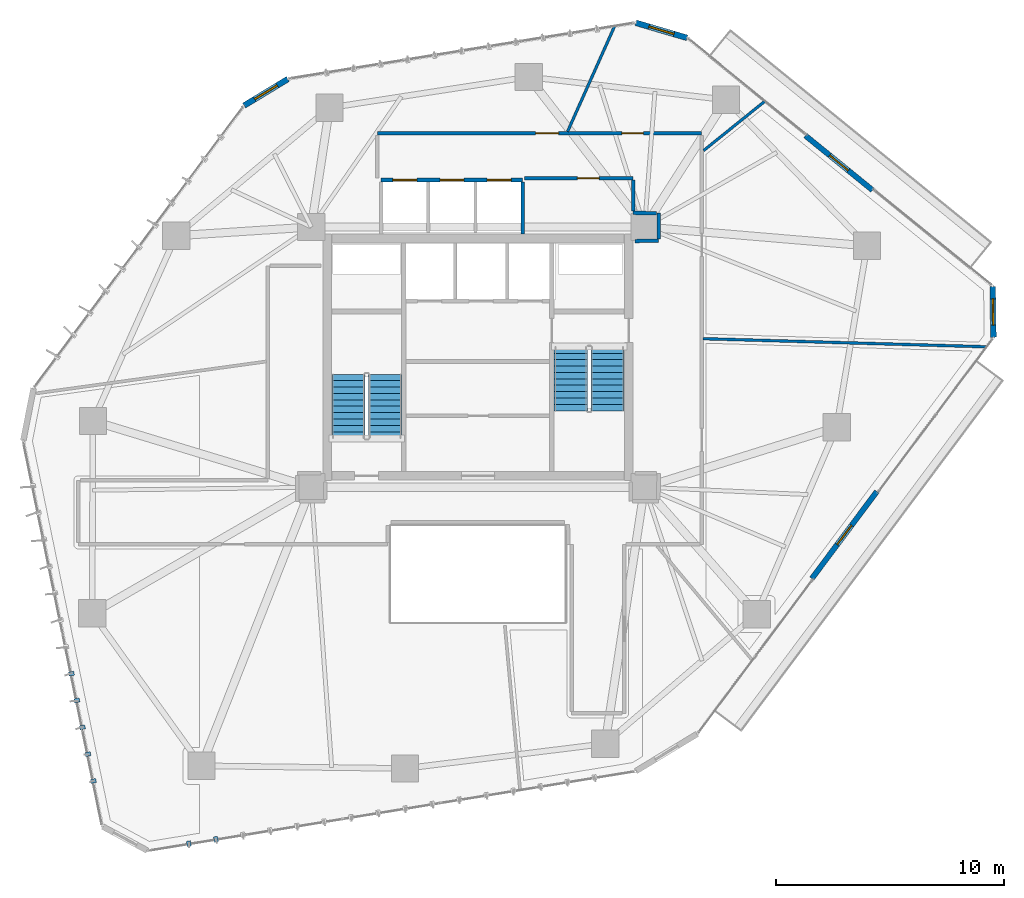
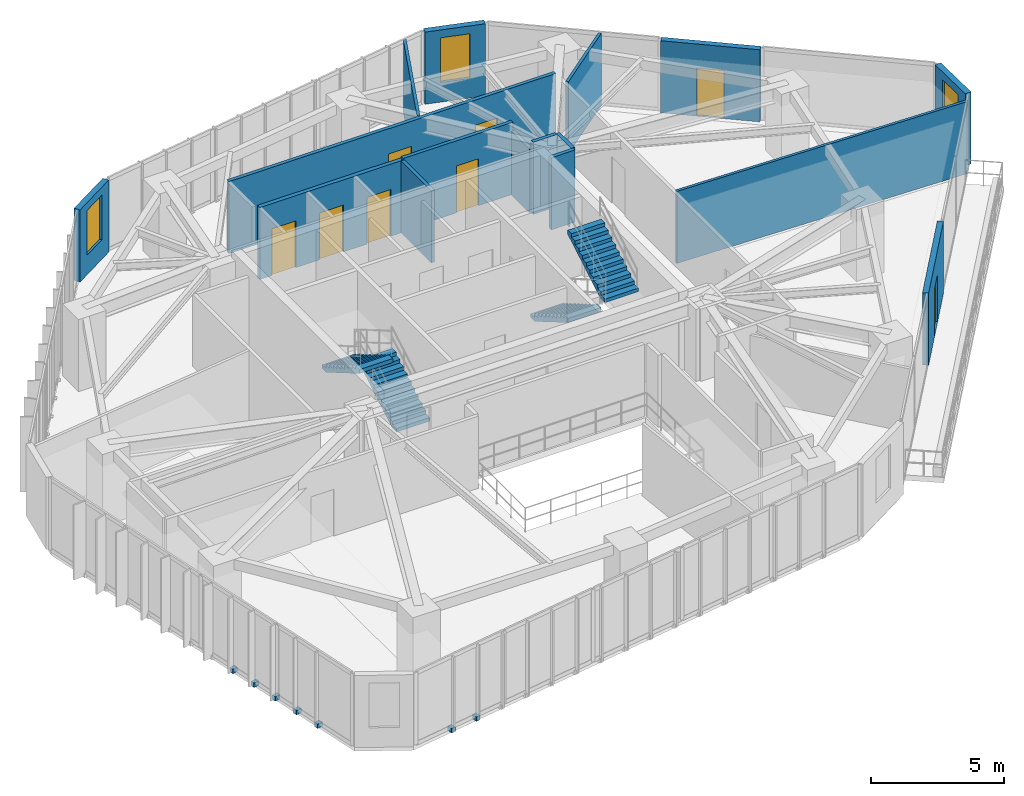
# One storey, part 19 of 23: 16 walls, 8 doors, 7 discrete accessories, 4 stair flights, 3 windows, 11 openings, 2 elements without a shape of their own.
"""IFC4 building model written with IfcOpenShell, lengths in metres."""

from ifc_helpers import new_model, si_unit, direction, frame, frame_2d, origin, origin_2d, place, context, subcontext, project, spatial, polyline, rectangle, outline, extrude, source, transform, mapped, material, layer, layer_set, type_object, type_shapes, element, fill, aggregate, save


model = new_model("IFC4")

# Units and contexts
model_context = context("Model", 3, precision=1e-05, world=origin(), true_north=direction((0.0, 1.0)))
body_context = subcontext(model_context, "Body", "Model", "MODEL_VIEW")
ifc_project = project(units=[si_unit("LENGTHUNIT", "METRE"), si_unit("AREAUNIT", "SQUARE_METRE"), si_unit("VOLUMEUNIT", "CUBIC_METRE"), si_unit("PLANEANGLEUNIT", "RADIAN"), si_unit("MASSUNIT", "GRAM", prefix="KILO")], contexts=[model_context])

# Site, building, storey
site_placement = place(None, origin())
site = spatial("IfcSite", under=ifc_project, at=site_placement, CompositionType="ELEMENT")
building_placement = place(site_placement, origin())
building = spatial("IfcBuilding", under=site, at=building_placement, Name="Talar Marvaseh", CompositionType="ELEMENT")
storey_placement = place(building_placement, frame((0.0, 0.0, 118.199951171875)))
storey = spatial("IfcBuildingStorey", under=building, at=storey_placement, Name="L30", CompositionType="ELEMENT", Elevation=118.199951171875)

# Wall, opening, window
ifc_material_1 = material(Name="Precast concrete C45/55", Category="concrete")
ifc_layer_1 = layer(ifc_material_1, 0.2548828125)
ifc_layer_set_1 = layer_set([ifc_layer_1], Name="Precast concrete C45/55")
wall_type_1 = type_object("IfcWallType", Name="Chamfered Hexagonal Corner Pier Wall Z2 255", PredefinedType="SOLIDWALL", material=ifc_layer_set_1)
wall_1_placement = place(storey_placement, frame((15.755859375, 42.21826171875, 0.0), z_axis=(0.0, 0.0, 1.0), x_axis=(0.854920161859, 0.518759594462, 0.0)))
wall_1 = element("IfcWall", 1, at=wall_1_placement, inside=storey, type_object=wall_type_1, Name="L30 Chamfered Corner Limestone Pier 3", PredefinedType="SOLIDWALL", context=body_context, shape_type="SweptSolid", body=[
    extrude(rectangle(XDim=2.244873046875, YDim=0.2548828125, at=frame_2d((1.12255859375, 0.0))), origin(), (0.0, 0.0, 1.0), 3.31005859375),
])
opening_1_placement = place(wall_1_placement, frame((0.548095703125, 0.0, 0.89990234375)))
opening_1 = element("IfcOpeningElement", 2, at=opening_1_placement, cuts=wall_1, Name="Opening WN-CHM11", PredefinedType="OPENING", context=body_context, shape_type="SweptSolid", body=[
    extrude(rectangle(XDim=1.14990234375, YDim=2.050048828125, at=frame_2d((0.574951171875, 1.02490234375))), frame((0.0, 0.137451171875, 0.0), z_axis=(0.0, -1.0, 0.0), x_axis=(1.0, 0.0, 0.0)), (0.0, 0.0, 1.0), 0.27490234375),
])
ifc_material_2 = material(Name="Laminated Low-E Solar Glass", Category="glass")
window_type = type_object("IfcWindowType", Name="Zone 2 Chamfered Corner Slot Window 1150x2050", PartitioningType="SINGLE_PANEL", PredefinedType="WINDOW", material=ifc_material_2)
shared_shape_1 = source(origin(), body_context, "Body", "SweptSolid", [
    extrude(rectangle(XDim=1.14990234375, YDim=2.050048828125, at=frame_2d((0.574951171875, 1.02490234375))), frame((0.0, 0.030029296875, 0.0), z_axis=(0.0, -1.0, 0.0), x_axis=(1.0, 0.0, 0.0)), (0.0, 0.0, 1.0), 0.06005859375),
])
type_shapes(window_type, [shared_shape_1])
window_1_placement = place(opening_1_placement, origin())
window_1 = element("IfcWindow", 3, at=window_1_placement, inside=storey, type_object=window_type, Name="L30 Chamfered Corner Slot Window", OverallHeight=2.050048828125, OverallWidth=1.14990234375, PartitioningType="SINGLE_PANEL", PredefinedType="WINDOW", context=body_context, shape_type="MappedRepresentation", body=[
    mapped(shared_shape_1, transform((0.0, 0.0, 0.0), x_axis=(1.0, 0.0, 0.0), y_axis=(0.0, 1.0, 0.0), z_axis=(0.0, 0.0, 1.0), scale=1.0)),
])
fill(opening_1, window_1)

wall_2_placement = place(storey_placement, frame((32.916015625, 45.844970703125, 0.0), z_axis=(0.0, 0.0, 1.0), x_axis=(0.959438544525, -0.281917859099, 0.0)))
wall_2 = element("IfcWall", 4, at=wall_2_placement, inside=storey, type_object=wall_type_1, Name="L30 Chamfered Corner Limestone Pier 4", PredefinedType="SOLIDWALL", context=body_context, shape_type="SweptSolid", body=[
    extrude(rectangle(XDim=2.3408203125, YDim=0.2548828125, at=frame_2d((1.17041015625, 0.0))), origin(), (0.0, 0.0, 1.0), 3.31005859375),
])
opening_2_placement = place(wall_2_placement, frame((0.594970703125, 0.0, 0.89990234375)))
opening_2 = element("IfcOpeningElement", 5, at=opening_2_placement, cuts=wall_2, Name="Opening WN-CHM11", PredefinedType="OPENING", context=body_context, shape_type="SweptSolid", body=[
    extrude(rectangle(XDim=1.14990234375, YDim=2.050048828125, at=frame_2d((0.574951171875, 1.02490234375))), frame((0.0, 0.137451171875, 0.0), z_axis=(0.0, -1.0, 0.0), x_axis=(1.0, 0.0, 0.0)), (0.0, 0.0, 1.0), 0.27490234375),
])
window_2_placement = place(opening_2_placement, origin())
window_2 = element("IfcWindow", 6, at=window_2_placement, inside=storey, type_object=window_type, Name="L30 Chamfered Corner Slot Window", OverallHeight=2.050048828125, OverallWidth=1.14990234375, PartitioningType="SINGLE_PANEL", PredefinedType="WINDOW", context=body_context, shape_type="MappedRepresentation", body=[
    mapped(shared_shape_1, transform((0.0, 0.0, 0.0), x_axis=(1.0, 0.0, 0.0), y_axis=(0.0, 1.0, 0.0), z_axis=(0.0, 0.0, 1.0), scale=1.0)),
])
fill(opening_2, window_2)

wall_3_placement = place(storey_placement, frame((48.547119140625, 34.286865234375, 0.0), z_axis=(0.0, 0.0, 1.0), x_axis=(0.014428989036, -0.999895896719, 0.0)))
wall_3 = element("IfcWall", 7, at=wall_3_placement, inside=storey, type_object=wall_type_1, Name="L30 Chamfered Corner Limestone Pier 5", PredefinedType="SOLIDWALL", context=body_context, shape_type="SweptSolid", body=[
    extrude(rectangle(XDim=2.216552734375, YDim=0.2548828125, at=frame_2d((1.1083984375, 0.0))), origin(), (0.0, 0.0, 1.0), 3.31005859375),
])
opening_3_placement = place(wall_3_placement, frame((0.532958984375, 0.0, 0.89990234375)))
opening_3 = element("IfcOpeningElement", 8, at=opening_3_placement, cuts=wall_3, Name="Opening WN-CHM11", PredefinedType="OPENING", context=body_context, shape_type="SweptSolid", body=[
    extrude(rectangle(XDim=1.14990234375, YDim=2.050048828125, at=frame_2d((0.574951171875, 1.02490234375))), frame((0.0, 0.137451171875, 0.0), z_axis=(0.0, -1.0, 0.0), x_axis=(1.0, 0.0, 0.0)), (0.0, 0.0, 1.0), 0.27490234375),
])
window_3_placement = place(opening_3_placement, origin())
window_3 = element("IfcWindow", 9, at=window_3_placement, inside=storey, type_object=window_type, Name="L30 Chamfered Corner Slot Window", OverallHeight=2.050048828125, OverallWidth=1.14990234375, PartitioningType="SINGLE_PANEL", PredefinedType="WINDOW", context=body_context, shape_type="MappedRepresentation", body=[
    mapped(shared_shape_1, transform((0.0, 0.0, 0.0), x_axis=(1.0, 0.0, 0.0), y_axis=(0.0, 1.0, 0.0), z_axis=(0.0, 0.0, 1.0), scale=1.0)),
])
fill(opening_3, window_3)

# Wall, opening, door
ifc_material_3 = material(Name="Gypsum Board Partition Assembly")
ifc_layer_2 = layer(ifc_material_3, 0.155029296875)
ifc_layer_set_2 = layer_set([ifc_layer_2], Name="Gypsum Board Partition Assembly")
wall_type_2 = type_object("IfcWallType", Name="Corridor Fire-Rated Acoustic Partition 155", PredefinedType="PARTITIONING", material=ifc_layer_set_2)
wall_4_placement = place(storey_placement, frame((32.800048828125, 39.0400390625, 0.0), z_axis=(0.0, 0.0, 1.0), x_axis=(-1.0, 0.0, 0.0)))
wall_4 = element("IfcWall", 10, at=wall_4_placement, inside=storey, type_object=wall_type_2, Name="L30 Interior Partition Wall", PredefinedType="PARTITIONING", context=body_context, shape_type="SweptSolid", body=[
    extrude(rectangle(XDim=4.77001953125, YDim=0.155029296875, at=frame_2d((2.385009765625, 0.0))), origin(), (0.0, 0.0, 1.0), 3.31005859375),
])
opening_4_placement = place(wall_4_placement, frame((1.494873046875, 0.0, 0.0)))
opening_4 = element("IfcOpeningElement", 11, at=opening_4_placement, cuts=wall_4, Name="Opening DR-WC095", PredefinedType="OPENING", context=body_context, shape_type="SweptSolid", body=[
    extrude(rectangle(XDim=0.949951171875, YDim=2.14990234375, at=frame_2d((0.47509765625, 1.074951171875))), frame((0.0, 0.08740234375, 0.0), z_axis=(0.0, -1.0, 0.0), x_axis=(1.0, 0.0, 0.0)), (0.0, 0.0, 1.0), 0.175048828125),
])
ifc_material_4 = material(Name="Acoustic Engineered Oak Timber", Category="wood")
door_type_1 = type_object("IfcDoorType", Name="Washroom and Service Room Door 950x2150", OperationType="NOTDEFINED", PredefinedType="DOOR", material=ifc_material_4)
shared_shape_2 = source(origin(), body_context, "Body", "SweptSolid", [
    extrude(rectangle(XDim=0.949951171875, YDim=2.14990234375, at=frame_2d((0.47509765625, 1.074951171875))), frame((0.0, 0.02490234375, 0.0), z_axis=(0.0, -1.0, 0.0), x_axis=(1.0, 0.0, 0.0)), (0.0, 0.0, 1.0), 0.050048828125),
])
type_shapes(door_type_1, [shared_shape_2])
door_1_placement = place(opening_4_placement, origin())
door_1 = element("IfcDoor", 12, at=door_1_placement, inside=storey, type_object=door_type_1, Name="L30 WC Public Washrooms Door", OperationType="SINGLE_SWING_RIGHT", OverallHeight=2.14990234375, OverallWidth=0.949951171875, PredefinedType="DOOR", context=body_context, shape_type="MappedRepresentation", body=[
    mapped(shared_shape_2, transform((0.0, 0.0, 0.0), x_axis=(1.0, 0.0, 0.0), y_axis=(0.0, 1.0, 0.0), z_axis=(0.0, 0.0, 1.0), scale=1.0)),
])
fill(opening_4, door_1)

# Wall, openings, doors
wall_5_placement = place(storey_placement, frame((21.60009765625, 41.0, 0.0), z_axis=(0.0, 0.0, 1.0), x_axis=(1.0, 0.0, 0.0)))
wall_5 = element("IfcWall", 13, at=wall_5_placement, inside=storey, type_object=wall_type_2, Name="L30 Interior Partition Wall", PredefinedType="PARTITIONING", context=body_context, shape_type="SweptSolid", body=[
    extrude(rectangle(XDim=14.199951171875, YDim=0.155029296875, at=frame_2d((7.10009765625, 0.0))), origin(), (0.0, 0.0, 1.0), 3.31005859375),
])
opening_5_placement = place(wall_5_placement, frame((10.7001953125, 0.0, 0.0)))
opening_5 = element("IfcOpeningElement", 14, at=opening_5_placement, cuts=wall_5, Name="Opening DR-WC095", PredefinedType="OPENING", context=body_context, shape_type="SweptSolid", body=[
    extrude(rectangle(XDim=0.949951171875, YDim=2.14990234375, at=frame_2d((0.47509765625, 1.074951171875))), frame((0.0, 0.08740234375, 0.0), z_axis=(0.0, -1.0, 0.0), x_axis=(1.0, 0.0, 0.0)), (0.0, 0.0, 1.0), 0.175048828125),
])
opening_6_placement = place(wall_5_placement, frame((6.930419921875, 0.0, 0.0)))
opening_6 = element("IfcOpeningElement", 15, at=opening_6_placement, cuts=wall_5, Name="Opening DR-RM100", PredefinedType="OPENING", context=body_context, shape_type="SweptSolid", body=[
    extrude(rectangle(XDim=1.0, YDim=2.14990234375, at=frame_2d((0.5, 1.074951171875))), frame((0.0, 0.08740234375, 0.0), z_axis=(0.0, -1.0, 0.0), x_axis=(1.0, 0.0, 0.0)), (0.0, 0.0, 1.0), 0.175048828125),
])
door_2_placement = place(opening_5_placement, origin())
door_2 = element("IfcDoor", 16, at=door_2_placement, inside=storey, type_object=door_type_1, Name="L30 Accessible WC Door", OperationType="SINGLE_SWING_LEFT", OverallHeight=2.14990234375, OverallWidth=0.949951171875, PredefinedType="DOOR", context=body_context, shape_type="MappedRepresentation", body=[
    mapped(shared_shape_2, transform((0.0, 0.0, 0.0), x_axis=(1.0, 0.0, 0.0), y_axis=(0.0, 1.0, 0.0), z_axis=(0.0, 0.0, 1.0), scale=1.0)),
])
fill(opening_5, door_2)
door_type_2 = type_object("IfcDoorType", Name="Corridor Fire-Rated Gallery Door 1000x2150", OperationType="NOTDEFINED", PredefinedType="DOOR", material=ifc_material_4)
shared_shape_3 = source(origin(), body_context, "Body", "SweptSolid", [
    extrude(rectangle(XDim=1.0, YDim=2.14990234375, at=frame_2d((0.5, 1.074951171875))), frame((0.0, 0.02490234375, 0.0), z_axis=(0.0, -1.0, 0.0), x_axis=(1.0, 0.0, 0.0)), (0.0, 0.0, 1.0), 0.050048828125),
])
type_shapes(door_type_2, [shared_shape_3])
door_3_placement = place(opening_6_placement, origin())
door_3 = element("IfcDoor", 17, at=door_3_placement, inside=storey, type_object=door_type_2, Name="L30 Cultural Fellowship Office Door", OperationType="SINGLE_SWING_LEFT", OverallHeight=2.14990234375, OverallWidth=1.0, PredefinedType="DOOR", context=body_context, shape_type="MappedRepresentation", body=[
    mapped(shared_shape_3, transform((0.0, 0.0, 0.0), x_axis=(1.0, 0.0, 0.0), y_axis=(0.0, 1.0, 0.0), z_axis=(0.0, 0.0, 1.0), scale=1.0)),
])
fill(opening_6, door_3)

# Walls
wall_6_placement = place(storey_placement, frame((32.8701171875, 36.284912109375, 0.0), z_axis=(0.0, 0.0, 1.0), x_axis=(0.999895094683, 0.014484461652, 0.0)))
element("IfcWall", 18, at=wall_6_placement, inside=storey, type_object=wall_type_2, Name="L30 Interior Partition Wall", PredefinedType="PARTITIONING", context=body_context, shape_type="SweptSolid", body=[
    extrude(rectangle(XDim=1.044921875, YDim=0.155029296875, at=frame_2d((0.5224609375, 0.0))), origin(), (0.0, 0.0, 1.0), 3.31005859375),
])
wall_7_placement = place(storey_placement, frame((33.914794921875, 36.383544921875, 0.0), z_axis=(0.0, 0.0, 1.0), x_axis=(-0.003682817312, 0.999993218405, 0.0)))
element("IfcWall", 19, at=wall_7_placement, inside=storey, type_object=wall_type_2, Name="L30 Interior Partition Wall", PredefinedType="PARTITIONING", context=body_context, shape_type="SweptSolid", body=[
    extrude(rectangle(XDim=1.126953125, YDim=0.155029296875, at=frame_2d((0.5634765625, 0.0))), origin(), (0.0, 0.0, 1.0), 3.31005859375),
])
wall_8_placement = place(storey_placement, frame((33.8271484375, 37.510986328125, 0.0), z_axis=(0.0, 0.0, 1.0), x_axis=(-0.99999276797, 0.003803157663, 0.0)))
element("IfcWall", 20, at=wall_8_placement, inside=storey, type_object=wall_type_2, Name="L30 Interior Partition Wall", PredefinedType="PARTITIONING", context=body_context, shape_type="SweptSolid", body=[
    extrude(rectangle(XDim=1.027099609375, YDim=0.155029296875, at=frame_2d((0.513671875, 0.0))), origin(), (0.0, 0.0, 1.0), 3.31005859375),
])
wall_9_placement = place(storey_placement, frame((32.800048828125, 37.598388671875, 0.0), z_axis=(0.0, 0.0, 1.0), x_axis=(0.0, 1.0, 0.0)))
element("IfcWall", 21, at=wall_9_placement, inside=storey, type_object=wall_type_2, Name="L30 Interior Partition Wall", PredefinedType="PARTITIONING", context=body_context, shape_type="SweptSolid", body=[
    extrude(rectangle(XDim=1.358154296875, YDim=0.155029296875, at=frame_2d((0.67919921875, 0.0))), origin(), (0.0, 0.0, 1.0), 2.927001953125),
])
ifc_layer_3 = layer(ifc_material_3, 0.1201171875)
ifc_layer_set_3 = layer_set([ifc_layer_3], Name="Gypsum Board Partition Assembly")
wall_type_3 = type_object("IfcWallType", Name="Demountable Studio Room Partition 120", PredefinedType="PARTITIONING", material=ifc_layer_set_3)
wall_10_placement = place(storey_placement, frame((35.864990234375, 32.008056640625, 0.0), z_axis=(0.0, 0.0, 1.0), x_axis=(0.999591122148, -0.028593504913, 0.0)))
element("IfcWall", 22, at=wall_10_placement, inside=storey, type_object=wall_type_3, Name="L30 Interior Partition Wall", PredefinedType="PARTITIONING", context=body_context, shape_type="SweptSolid", body=[
    extrude(rectangle(XDim=12.397705078125, YDim=0.1201171875, at=frame_2d((6.19873046875, 0.0))), origin(), (0.0, 0.0, 1.0), 3.31005859375),
])
wall_11_placement = place(storey_placement, frame((35.883544921875, 40.247314453125, 0.0), z_axis=(0.0, 0.0, 1.0), x_axis=(0.77887356585, 0.627180969433, 0.0)))
element("IfcWall", 23, at=wall_11_placement, inside=storey, type_object=wall_type_3, Name="L30 Interior Partition Wall", PredefinedType="PARTITIONING", context=body_context, shape_type="SweptSolid", body=[
    extrude(rectangle(XDim=3.432861328125, YDim=0.1201171875, at=frame_2d((1.71630859375, 0.0))), origin(), (0.0, 0.0, 1.0), 3.31005859375),
])
wall_12_placement = place(storey_placement, frame((29.92724609375, 41.08349609375, 0.0), z_axis=(0.0, 0.0, 1.0), x_axis=(0.407659509592, 0.913134012202, 0.0)))
element("IfcWall", 24, at=wall_12_placement, inside=storey, type_object=wall_type_3, Name="L30 Interior Partition Wall", PredefinedType="PARTITIONING", context=body_context, shape_type="SweptSolid", body=[
    extrude(rectangle(XDim=5.03173828125, YDim=0.1201171875, at=frame_2d((2.515869140625, 0.0))), origin(), (0.0, 0.0, 1.0), 3.31005859375),
])
ifc_layer_4 = layer(ifc_material_1, 0.14501953125)
ifc_layer_set_4 = layer_set([ifc_layer_4], Name="Precast concrete C45/55")
wall_type_4 = type_object("IfcWallType", Name="Fire-Rated Lift Divider Wall 145", PredefinedType="SOLIDWALL", material=ifc_layer_set_4)
wall_13_placement = place(storey_placement, frame((27.9599609375, 36.60009765625, 0.0), z_axis=(0.0, 0.0, 1.0), x_axis=(0.0, 1.0, 0.0)))
element("IfcWall", 25, at=wall_13_placement, inside=storey, type_object=wall_type_4, Name="L30 Low-Rise Bank East Wall", PredefinedType="SOLIDWALL", context=body_context, shape_type="SweptSolid", body=[
    extrude(rectangle(XDim=2.266357421875, YDim=0.14501953125, at=frame_2d((1.13330078125, 0.0))), origin(), (0.0, 0.0, 1.0), 3.31005859375),
])

# Wall, openings, doors
ifc_layer_5 = layer(ifc_material_1, 0.175048828125)
ifc_layer_set_5 = layer_set([ifc_layer_5], Name="Precast concrete C45/55")
wall_type_5 = type_object("IfcWallType", Name="Fire-Rated Lift Hoistway Enclosure Wall 175", PredefinedType="SOLIDWALL", material=ifc_layer_set_5)
wall_14_placement = place(storey_placement, frame((21.760009765625, 38.9599609375, 0.0), z_axis=(0.0, 0.0, 1.0), x_axis=(1.0, 0.0, 0.0)))
wall_14 = element("IfcWall", 26, at=wall_14_placement, inside=storey, type_object=wall_type_5, Name="L30 Low-Rise Lift Bank Front Wall", PredefinedType="SOLIDWALL", context=body_context, shape_type="SweptSolid", body=[
    extrude(rectangle(XDim=6.199951171875, YDim=0.175048828125, at=frame_2d((3.10009765625, 0.0))), origin(), (0.0, 0.0, 1.0), 3.31005859375),
])
opening_7_placement = place(wall_14_placement, frame((0.52001953125, 0.0, 0.0)))
opening_7 = element("IfcOpeningElement", 27, at=opening_7_placement, cuts=wall_14, Name="Opening LD-PLL1", PredefinedType="OPENING", context=body_context, shape_type="SweptSolid", body=[
    extrude(rectangle(XDim=1.050048828125, YDim=2.14990234375, at=frame_2d((0.52490234375, 1.074951171875))), frame((0.0, 0.09765625, 0.0), z_axis=(0.0, -1.0, 0.0), x_axis=(1.0, 0.0, 0.0)), (0.0, 0.0, 1.0), 0.195068359375),
])
opening_8_placement = place(wall_14_placement, frame((2.580078125, 0.0, 0.0)))
opening_8 = element("IfcOpeningElement", 28, at=opening_8_placement, cuts=wall_14, Name="Opening LD-PLL2", PredefinedType="OPENING", context=body_context, shape_type="SweptSolid", body=[
    extrude(rectangle(XDim=1.050048828125, YDim=2.14990234375, at=frame_2d((0.52490234375, 1.074951171875))), frame((0.0, 0.09765625, 0.0), z_axis=(0.0, -1.0, 0.0), x_axis=(1.0, 0.0, 0.0)), (0.0, 0.0, 1.0), 0.195068359375),
])
opening_9_placement = place(wall_14_placement, frame((4.639892578125, 0.0, 0.0)))
opening_9 = element("IfcOpeningElement", 29, at=opening_9_placement, cuts=wall_14, Name="Opening LD-PLL3", PredefinedType="OPENING", context=body_context, shape_type="SweptSolid", body=[
    extrude(rectangle(XDim=1.050048828125, YDim=2.14990234375, at=frame_2d((0.52490234375, 1.074951171875))), frame((0.0, 0.09765625, 0.0), z_axis=(0.0, -1.0, 0.0), x_axis=(1.0, 0.0, 0.0)), (0.0, 0.0, 1.0), 0.195068359375),
])
ifc_material_5 = material(Name="Stainless Steel Grade 316", Category="steel")
door_type_3 = type_object("IfcDoorType", Name="Automatic Sliding Lift Landing Door 1050x2150", OperationType="NOTDEFINED", PredefinedType="DOOR", material=ifc_material_5)
shared_shape_4 = source(origin(), body_context, "Body", "SweptSolid", [
    extrude(rectangle(XDim=1.050048828125, YDim=2.14990234375, at=frame_2d((0.52490234375, 1.074951171875))), frame((0.0, 0.02490234375, 0.0), z_axis=(0.0, -1.0, 0.0), x_axis=(1.0, 0.0, 0.0)), (0.0, 0.0, 1.0), 0.050048828125),
])
type_shapes(door_type_3, [shared_shape_4])
door_4_placement = place(opening_7_placement, origin())
door_4 = element("IfcDoor", 30, at=door_4_placement, inside=storey, type_object=door_type_3, Name="L30 Lift PL-L1 Sliding Landing Door", OperationType="SLIDING_TO_LEFT", OverallHeight=2.14990234375, OverallWidth=1.050048828125, PredefinedType="DOOR", context=body_context, shape_type="MappedRepresentation", body=[
    mapped(shared_shape_4, transform((0.0, 0.0, 0.0), x_axis=(1.0, 0.0, 0.0), y_axis=(0.0, 1.0, 0.0), z_axis=(0.0, 0.0, 1.0), scale=1.0)),
])
fill(opening_7, door_4)
door_5_placement = place(opening_8_placement, origin())
door_5 = element("IfcDoor", 31, at=door_5_placement, inside=storey, type_object=door_type_3, Name="L30 Lift PL-L2 Sliding Landing Door", OperationType="SLIDING_TO_LEFT", OverallHeight=2.14990234375, OverallWidth=1.050048828125, PredefinedType="DOOR", context=body_context, shape_type="MappedRepresentation", body=[
    mapped(shared_shape_4, transform((0.0, 0.0, 0.0), x_axis=(1.0, 0.0, 0.0), y_axis=(0.0, 1.0, 0.0), z_axis=(0.0, 0.0, 1.0), scale=1.0)),
])
fill(opening_8, door_5)
door_6_placement = place(opening_9_placement, origin())
door_6 = element("IfcDoor", 32, at=door_6_placement, inside=storey, type_object=door_type_3, Name="L30 Lift PL-L3 Sliding Landing Door", OperationType="SLIDING_TO_LEFT", OverallHeight=2.14990234375, OverallWidth=1.050048828125, PredefinedType="DOOR", context=body_context, shape_type="MappedRepresentation", body=[
    mapped(shared_shape_4, transform((0.0, 0.0, 0.0), x_axis=(1.0, 0.0, 0.0), y_axis=(0.0, 1.0, 0.0), z_axis=(0.0, 0.0, 1.0), scale=1.0)),
])
fill(opening_9, door_6)

# Wall, opening, door
ifc_layer_6 = layer(ifc_material_1, 0.235107421875)
ifc_layer_set_6 = layer_set([ifc_layer_6], Name="Precast concrete C45/55")
wall_type_6 = type_object("IfcWallType", Name="Terrace Threshold Glazed Spandrel Wall 235", PredefinedType="SOLIDWALL", material=ifc_layer_set_6)
wall_15_placement = place(storey_placement, frame((40.348388671875, 40.8994140625, 0.0), z_axis=(0.0, 0.0, 1.0), x_axis=(0.776072535203, -0.630643655405, 0.0)))
wall_15 = element("IfcWall", 33, at=wall_15_placement, inside=storey, type_object=wall_type_6, Name="L30 Terrace Threshold Wall", PredefinedType="SOLIDWALL", context=body_context, shape_type="SweptSolid", body=[
    extrude(rectangle(XDim=3.7822265625, YDim=0.235107421875, at=frame_2d((1.89111328125, 0.0))), origin(), (0.0, 0.0, 1.0), 3.31005859375),
])
opening_10_placement = place(wall_15_placement, frame((1.365966796875, 0.0, 0.0)))
opening_10 = element("IfcOpeningElement", 34, at=opening_10_placement, cuts=wall_15, Name="Opening DR-TER10", PredefinedType="OPENING", context=body_context, shape_type="SweptSolid", body=[
    extrude(rectangle(XDim=1.050048828125, YDim=2.199951171875, at=frame_2d((0.52490234375, 1.10009765625))), frame((0.0, 0.12744140625, 0.0), z_axis=(0.0, -1.0, 0.0), x_axis=(1.0, 0.0, 0.0)), (0.0, 0.0, 1.0), 0.255126953125),
])
ifc_material_6 = material(Name="Architectural Aluminium", Category="aluminium")
door_type_4 = type_object("IfcDoorType", Name="External Terrace Weatherproof Glazed Door 1050x2200", OperationType="NOTDEFINED", PredefinedType="DOOR", material=ifc_material_6)
shared_shape_5 = source(origin(), body_context, "Body", "SweptSolid", [
    extrude(rectangle(XDim=1.050048828125, YDim=2.199951171875, at=frame_2d((0.52490234375, 1.10009765625))), frame((0.0, 0.02490234375, 0.0), z_axis=(0.0, -1.0, 0.0), x_axis=(1.0, 0.0, 0.0)), (0.0, 0.0, 1.0), 0.050048828125),
])
type_shapes(door_type_4, [shared_shape_5])
door_7_placement = place(opening_10_placement, origin())
door_7 = element("IfcDoor", 35, at=door_7_placement, inside=storey, type_object=door_type_4, Name="L30 External Planted Terrace Access Door", OperationType="SINGLE_SWING_LEFT", OverallHeight=2.199951171875, OverallWidth=1.050048828125, PredefinedType="DOOR", context=body_context, shape_type="MappedRepresentation", body=[
    mapped(shared_shape_5, transform((0.0, 0.0, 0.0), x_axis=(1.0, 0.0, 0.0), y_axis=(0.0, 1.0, 0.0), z_axis=(0.0, 0.0, 1.0), scale=1.0)),
])
fill(opening_10, door_7)

wall_16_placement = place(storey_placement, frame((43.473388671875, 25.315185546875, 0.0), z_axis=(0.0, 0.0, 1.0), x_axis=(-0.598413593284, -0.801187350981, 0.0)))
wall_16 = element("IfcWall", 36, at=wall_16_placement, inside=storey, type_object=wall_type_6, Name="L30 Terrace Threshold Wall", PredefinedType="SOLIDWALL", context=body_context, shape_type="SweptSolid", body=[
    extrude(rectangle(XDim=4.755859375, YDim=0.235107421875, at=frame_2d((2.3779296875, 0.0))), origin(), (0.0, 0.0, 1.0), 3.31005859375),
])
opening_11_placement = place(wall_16_placement, frame((1.85302734375, 0.0, 0.0)))
opening_11 = element("IfcOpeningElement", 37, at=opening_11_placement, cuts=wall_16, Name="Opening DR-TER10", PredefinedType="OPENING", context=body_context, shape_type="SweptSolid", body=[
    extrude(rectangle(XDim=1.050048828125, YDim=2.199951171875, at=frame_2d((0.52490234375, 1.10009765625))), frame((0.0, 0.12744140625, 0.0), z_axis=(0.0, -1.0, 0.0), x_axis=(1.0, 0.0, 0.0)), (0.0, 0.0, 1.0), 0.255126953125),
])
door_8_placement = place(opening_11_placement, origin())
door_8 = element("IfcDoor", 38, at=door_8_placement, inside=storey, type_object=door_type_4, Name="L30 External Planted Terrace Access Door", OperationType="SINGLE_SWING_RIGHT", OverallHeight=2.199951171875, OverallWidth=1.050048828125, PredefinedType="DOOR", context=body_context, shape_type="MappedRepresentation", body=[
    mapped(shared_shape_5, transform((0.0, 0.0, 0.0), x_axis=(1.0, 0.0, 0.0), y_axis=(0.0, 1.0, 0.0), z_axis=(0.0, 0.0, 1.0), scale=1.0)),
])
fill(opening_11, door_8)

# Stair, stair flights
ifc_material_7 = material(Name="Concrete C40/50", Category="concrete")
stair_type = type_object("IfcStairType", Name="Reinforced Concrete Half-Turn Exit Stair Type B", PredefinedType="HALF_TURN_STAIR", material=ifc_material_7)
stair_1_placement = place(storey_placement, origin())
stair_1 = element("IfcStair", 39, at=stair_1_placement, inside=storey, type_object=stair_type, Name="L30 Tower West Core Exit Stair", PredefinedType="HALF_TURN_STAIR")
ifc_layer_7 = layer(ifc_material_7, 0.159912109375)
ifc_layer_set_7 = layer_set([ifc_layer_7], Name="Concrete C40/50")
stair_flight_type = type_object("IfcStairFlightType", Name="Reinforced Concrete Straight Stair Flight 160", PredefinedType="STRAIGHT", material=ifc_layer_set_7)
stair_flight_1_placement = place(storey_placement, frame((21.93505859375, 27.64990234375, 0.0), z_axis=(0.0, 0.0, 1.0), x_axis=(0.0, 1.0, 0.0)))
stair_flight_1 = element("IfcStairFlight", 40, at=stair_flight_1_placement, type_object=stair_flight_type, Name="ST-1 flight 1", NumberOfRisers=11, NumberOfTreads=10, PredefinedType="STRAIGHT", RiserHeight=0.163636364, TreadLength=0.28, context=body_context, shape_type="SweptSolid", body=[
    extrude(outline(polyline([(0.0, 0.0), (0.0, 0.16357421875), (0.280029296875, 0.16357421875), (0.280029296875, 0.327392578125), (0.56005859375, 0.327392578125), (0.56005859375, 0.490966796875), (0.840087890625, 0.490966796875), (0.840087890625, 0.654541015625), (1.1201171875, 0.654541015625), (1.1201171875, 0.818115234375), (1.39990234375, 0.818115234375), (1.39990234375, 0.98193359375), (1.679931640625, 0.98193359375), (1.679931640625, 1.1455078125), (1.9599609375, 1.1455078125), (1.9599609375, 1.30908203125), (2.239990234375, 1.30908203125), (2.239990234375, 1.47265625), (2.52001953125, 1.47265625), (2.52001953125, 1.636474609375), (2.800048828125, 1.636474609375), (2.800048828125, 1.800048828125), (2.800048828125, 1.451171875), (0.31689453125, 0.0), (0.0, 0.0)])), frame((0.0, 0.72509765625, 0.0), z_axis=(0.0, -1.0, 0.0), x_axis=(1.0, 0.0, 0.0)), (0.0, 0.0, 1.0), 1.449951171875),
])
stair_flight_2_placement = place(storey_placement, frame((20.324951171875, 30.449951171875, 1.800048828125), z_axis=(0.0, 0.0, 1.0), x_axis=(0.0, -1.0, 0.0)))
stair_flight_2 = element("IfcStairFlight", 41, at=stair_flight_2_placement, type_object=stair_flight_type, Name="ST-1 flight 2", NumberOfRisers=11, NumberOfTreads=10, PredefinedType="STRAIGHT", RiserHeight=0.163636364, TreadLength=0.28, context=body_context, shape_type="SweptSolid", body=[
    extrude(outline(polyline([(0.0, 0.0), (0.0, 0.16357421875), (0.280029296875, 0.16357421875), (0.280029296875, 0.327392578125), (0.56005859375, 0.327392578125), (0.56005859375, 0.490966796875), (0.840087890625, 0.490966796875), (0.840087890625, 0.654541015625), (1.1201171875, 0.654541015625), (1.1201171875, 0.818115234375), (1.39990234375, 0.818115234375), (1.39990234375, 0.98193359375), (1.679931640625, 0.98193359375), (1.679931640625, 1.1455078125), (1.9599609375, 1.1455078125), (1.9599609375, 1.30908203125), (2.239990234375, 1.30908203125), (2.239990234375, 1.47265625), (2.52001953125, 1.47265625), (2.52001953125, 1.636474609375), (2.800048828125, 1.636474609375), (2.800048828125, 1.800048828125), (2.800048828125, 1.451171875), (0.31689453125, 0.0), (0.0, 0.0)])), frame((0.0, 0.72509765625, 0.0), z_axis=(0.0, -1.0, 0.0), x_axis=(1.0, 0.0, 0.0)), (0.0, 0.0, 1.0), 1.449951171875),
])
aggregate(stair_1, [stair_flight_1, stair_flight_2])

stair_2_placement = place(storey_placement, origin())
stair_2 = element("IfcStair", 42, at=stair_2_placement, inside=storey, type_object=stair_type, Name="L30 Tower East Core Exit Stair", PredefinedType="HALF_TURN_STAIR")
stair_flight_3_placement = place(storey_placement, frame((30.06494140625, 31.64990234375, 0.0), z_axis=(0.0, 0.0, 1.0), x_axis=(0.0, -1.0, 0.0)))
stair_flight_3 = element("IfcStairFlight", 43, at=stair_flight_3_placement, type_object=stair_flight_type, Name="ST-2 flight 1", NumberOfRisers=11, NumberOfTreads=10, PredefinedType="STRAIGHT", RiserHeight=0.163636364, TreadLength=0.28, context=body_context, shape_type="SweptSolid", body=[
    extrude(outline(polyline([(0.0, 0.0), (0.0, 0.16357421875), (0.280029296875, 0.16357421875), (0.280029296875, 0.327392578125), (0.56005859375, 0.327392578125), (0.56005859375, 0.490966796875), (0.840087890625, 0.490966796875), (0.840087890625, 0.654541015625), (1.1201171875, 0.654541015625), (1.1201171875, 0.818115234375), (1.39990234375, 0.818115234375), (1.39990234375, 0.98193359375), (1.679931640625, 0.98193359375), (1.679931640625, 1.1455078125), (1.9599609375, 1.1455078125), (1.9599609375, 1.30908203125), (2.239990234375, 1.30908203125), (2.239990234375, 1.47265625), (2.52001953125, 1.47265625), (2.52001953125, 1.636474609375), (2.800048828125, 1.636474609375), (2.800048828125, 1.800048828125), (2.800048828125, 1.451171875), (0.31689453125, 0.0), (0.0, 0.0)])), frame((0.0, 0.72509765625, 0.0), z_axis=(0.0, -1.0, 0.0), x_axis=(1.0, 0.0, 0.0)), (0.0, 0.0, 1.0), 1.449951171875),
])
stair_flight_4_placement = place(storey_placement, frame((31.675048828125, 28.85009765625, 1.800048828125), z_axis=(0.0, 0.0, 1.0), x_axis=(0.0, 1.0, 0.0)))
stair_flight_4 = element("IfcStairFlight", 44, at=stair_flight_4_placement, type_object=stair_flight_type, Name="ST-2 flight 2", NumberOfRisers=11, NumberOfTreads=10, PredefinedType="STRAIGHT", RiserHeight=0.163636364, TreadLength=0.28, context=body_context, shape_type="SweptSolid", body=[
    extrude(outline(polyline([(0.0, 0.0), (0.0, 0.16357421875), (0.280029296875, 0.16357421875), (0.280029296875, 0.327392578125), (0.56005859375, 0.327392578125), (0.56005859375, 0.490966796875), (0.840087890625, 0.490966796875), (0.840087890625, 0.654541015625), (1.1201171875, 0.654541015625), (1.1201171875, 0.818115234375), (1.39990234375, 0.818115234375), (1.39990234375, 0.98193359375), (1.679931640625, 0.98193359375), (1.679931640625, 1.1455078125), (1.9599609375, 1.1455078125), (1.9599609375, 1.30908203125), (2.239990234375, 1.30908203125), (2.239990234375, 1.47265625), (2.52001953125, 1.47265625), (2.52001953125, 1.636474609375), (2.800048828125, 1.636474609375), (2.800048828125, 1.800048828125), (2.800048828125, 1.451171875), (0.31689453125, 0.0), (0.0, 0.0)])), frame((0.0, 0.72509765625, 0.0), z_axis=(0.0, -1.0, 0.0), x_axis=(1.0, 0.0, 0.0)), (0.0, 0.0, 1.0), 1.449951171875),
])
aggregate(stair_2, [stair_flight_3, stair_flight_4])

# Discrete accessories
discrete_accessory_type = type_object("IfcDiscreteAccessoryType", Name="Stainless Slab-Edge Fin Mounting Bracket", PredefinedType="BRACKET", material=ifc_material_5)
shared_shape_6 = source(origin(), body_context, "Body", "SweptSolid", [
    extrude(rectangle(XDim=0.239990234375, YDim=0.179931640625, at=origin_2d()), origin(), (0.0, 0.0, 1.0), 0.199951171875),
])
type_shapes(discrete_accessory_type, [shared_shape_6])
for number, where, z_axis, x_axis, name in (
    (45, (9.156982421875, 12.634033203125, -0.1796875), (0.0, 0.0, 1.0), (-0.979575249599, -0.201077921146, 0.0), "L30 Vertical Fin Slab-Edge Bracket"),
    (46, (8.915771484375, 13.8095703125, -0.1796875), (0.0, 0.0, 1.0), (-0.979575249599, -0.201077921146, 0.0), "L30 Vertical Fin Slab-Edge Bracket"),
    (47, (8.674560546875, 14.985107421875, -0.1796875), (0.0, 0.0, 1.0), (-0.979575249599, -0.201077921146, 0.0), "L30 Vertical Fin Slab-Edge Bracket"),
    (48, (8.433349609375, 16.16064453125, -0.1796875), (0.0, 0.0, 1.0), (-0.979575249599, -0.201077921146, 0.0), "L30 Vertical Fin Slab-Edge Bracket"),
    (49, (8.192138671875, 17.336181640625, -0.1796875), (0.0, 0.0, 1.0), (-0.979575249599, -0.201077921146, 0.0), "L30 Vertical Fin Slab-Edge Bracket"),
    (50, (14.524658203125, 10.080078125, -0.1796875), (0.0, 0.0, 1.0), (0.160914826518, -0.986968296657, 0.0), "L30 Vertical Fin Slab-Edge Bracket"),
    (51, (13.340087890625, 9.886962890625, -0.1796875), (0.0, 0.0, 1.0), (0.160914826518, -0.986968296657, 0.0), "L30 Vertical Fin Slab-Edge Bracket"),
):
    element("IfcDiscreteAccessory", number, at=place(storey_placement, frame(where, z_axis=z_axis, x_axis=x_axis)), inside=storey, type_object=discrete_accessory_type, Name=name, PredefinedType="BRACKET", context=body_context, shape_type="MappedRepresentation", body=[
        mapped(shared_shape_6, transform((0.0, 0.0, 0.0), x_axis=(1.0, 0.0, 0.0), y_axis=(0.0, 1.0, 0.0), z_axis=(0.0, 0.0, 1.0), scale=1.0)),
    ])

save(model, "model.ifc")
